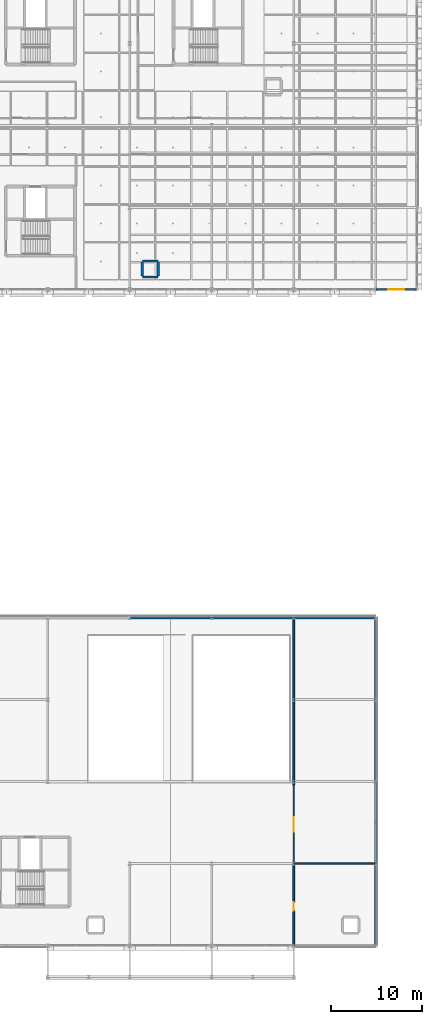
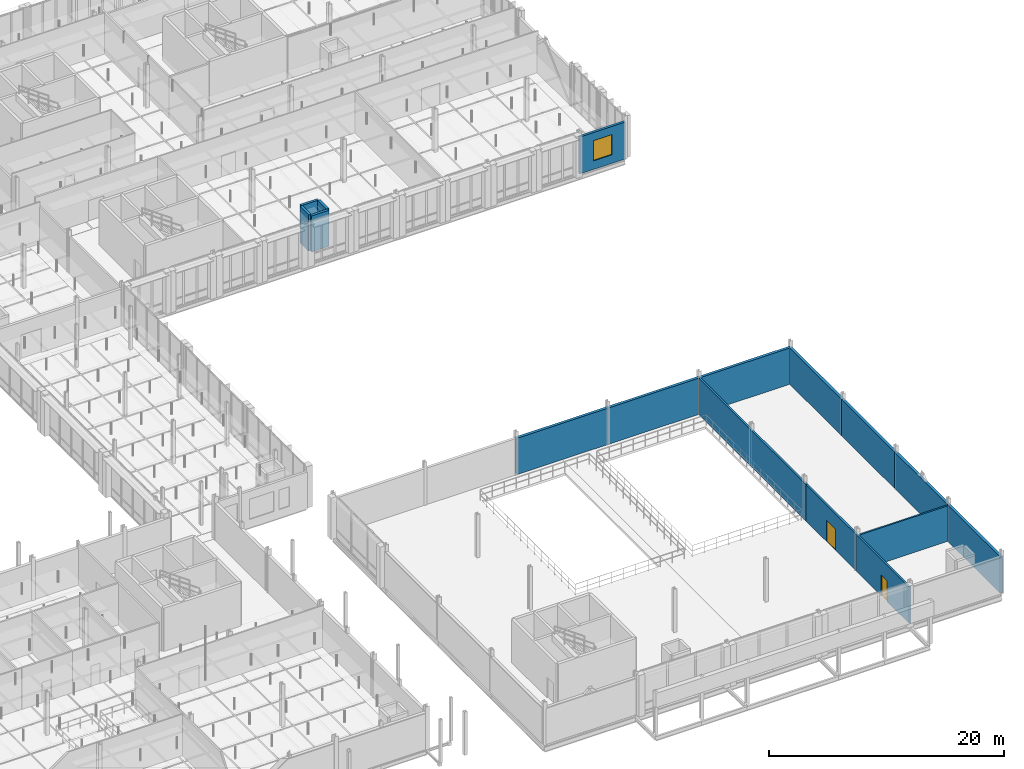
# One storey, part 74 of 130: 16 walls, 2 doors, 1 window, 3 openings.
"""IFC4 building model written with IfcOpenShell, lengths in metres."""

from ifc_helpers import new_model, si_unit, direction, frame, frame_2d, origin, place, context, subcontext, project, spatial, rectangle, extrude, material, layer, layer_set, type_object, element, fill, save


model = new_model("IFC4")

# Units and contexts
model_context = context("Model", 3, precision=1e-05, world=origin(), true_north=direction((0.0, 1.0)))
body_context = subcontext(model_context, "Body", "Model", "MODEL_VIEW")
ifc_project = project(units=[si_unit("LENGTHUNIT", "METRE"), si_unit("AREAUNIT", "SQUARE_METRE"), si_unit("VOLUMEUNIT", "CUBIC_METRE"), si_unit("PLANEANGLEUNIT", "RADIAN"), si_unit("MASSUNIT", "GRAM", prefix="KILO"), si_unit("THERMODYNAMICTEMPERATUREUNIT", "KELVIN"), si_unit("POWERUNIT", "WATT")], contexts=[model_context])

# Site, building, storey
site_placement = place(None, origin())
site = spatial("IfcSite", under=ifc_project, at=site_placement, CompositionType="ELEMENT")
building_placement = place(site_placement, origin())
building = spatial("IfcBuilding", under=site, at=building_placement, Name="Tallowbark Science Centre", CompositionType="ELEMENT")
storey_placement = place(building_placement, frame((0.0, 0.0, 5.39990234375)))
storey = spatial("IfcBuildingStorey", under=building, at=storey_placement, Name="L01", CompositionType="ELEMENT", Elevation=5.39990234375)

# Wall, opening, window
ifc_material_1 = material(Name="Hawkesbury Sandstone Faced Masonry Cavity Wall", Category="masonry")
ifc_layer_1 = layer(ifc_material_1, 0.22998046875)
ifc_layer_set_1 = layer_set([ifc_layer_1], Name="Hawkesbury Sandstone Faced Masonry Cavity Wall")
wall_type_1 = type_object("IfcWallType", Name="EWL-MAS-230", PredefinedType="STANDARD", material=ifc_layer_set_1)
wall_1_placement = place(storey_placement, frame((157.5, 72.0, 0.0), z_axis=(0.0, 0.0, 1.0), x_axis=(1.0, 0.0, 0.0)))
wall_1 = element("IfcWall", 1, at=wall_1_placement, inside=storey, type_object=wall_type_1, Name="Exterior Wall OBS-S-L01-157", PredefinedType="STANDARD", context=body_context, shape_type="SweptSolid", body=[
    extrude(rectangle(XDim=4.5, YDim=0.22998046875, at=frame_2d((2.25, 0.0))), origin(), (0.0, 0.0, 1.0), 3.84619140625),
])
opening_1_placement = place(wall_1_placement, frame((1.35009765625, 0.0, 0.89990234375)))
opening_1 = element("IfcOpeningElement", 2, at=opening_1_placement, cuts=wall_1, Name="Opening W-04", PredefinedType="OPENING", context=body_context, shape_type="SweptSolid", body=[
    extrude(rectangle(XDim=1.800048828125, YDim=2.10009765625, at=frame_2d((0.89990234375, 1.050048828125))), frame((0.0, 0.125, 0.0), z_axis=(0.0, -1.0, 0.0), x_axis=(1.0, 0.0, 0.0)), (0.0, 0.0, 1.0), 0.25),
])
ifc_material_2 = material(Name="Thermally Broken Aluminium and Low-E Double Glazing", Category="aluminium")
window_type = type_object("IfcWindowType", Name="WIN-F180x210", PartitioningType="SINGLE_PANEL", PredefinedType="WINDOW", material=ifc_material_2)
window_placement = place(opening_1_placement, origin())
window = element("IfcWindow", 3, at=window_placement, inside=storey, type_object=window_type, Name="Window WIN-L01-0039", OverallHeight=2.10009765625, OverallWidth=1.800048828125, PartitioningType="SINGLE_PANEL", PredefinedType="WINDOW", context=body_context, shape_type="SweptSolid", body=[
    extrude(rectangle(XDim=1.800048828125, YDim=2.10009765625, at=frame_2d((0.89990234375, 1.050048828125))), frame((0.0, 0.030029296875, 0.0), z_axis=(0.0, -1.0, 0.0), x_axis=(1.0, 0.0, 0.0)), (0.0, 0.0, 1.0), 0.06005859375),
])
fill(opening_1, window)

# Walls
ifc_material_3 = material(Name="Insulated Ribbed Precast Concrete Panel Grade N40 (40 MPa)", Category="concrete")
ifc_layer_2 = layer(ifc_material_3, 0.264892578125)
ifc_layer_set_2 = layer_set([ifc_layer_2], Name="Insulated Ribbed Precast Concrete Panel Grade N40 (40 MPa)")
wall_type_2 = type_object("IfcWallType", Name="EWL-PRC-265", PredefinedType="STANDARD", material=ifc_layer_set_2)
for number, where, z_axis, x_axis, name in (
    (4, (139.5, 36.0, 0.0), (0.0, 0.0, 1.0), (-1.0, 0.0, 0.0), "Exterior Wall THT-N-L01-2"),
    (5, (148.5, 36.0, 0.0), (0.0, 0.0, 1.0), (-1.0, 0.0, 0.0), "Exterior Wall THT-N-L01-3"),
    (6, (157.5, 36.0, 0.0), (0.0, 0.0, 1.0), (-1.0, 0.0, 0.0), "Exterior Wall THT-N-L01-4"),
    (7, (157.5, 0.0, 0.0), (0.0, 0.0, 1.0), (0.0, 1.0, 0.0), "Exterior Wall THT-E-L01-0"),
    (8, (157.5, 9.0, 0.0), (0.0, 0.0, 1.0), (0.0, 1.0, 0.0), "Exterior Wall THT-E-L01-1"),
    (9, (157.5, 18.0, 0.0), (0.0, 0.0, 1.0), (0.0, 1.0, 0.0), "Exterior Wall THT-E-L01-2"),
    (10, (157.5, 27.0, 0.0), (0.0, 0.0, 1.0), (0.0, 1.0, 0.0), "Exterior Wall THT-E-L01-3"),
):
    element("IfcWall", number, at=place(storey_placement, frame(where, z_axis=z_axis, x_axis=x_axis)), inside=storey, type_object=wall_type_2, Name=name, PredefinedType="STANDARD", context=body_context, shape_type="SweptSolid", body=[
        extrude(rectangle(XDim=9.0, YDim=0.264892578125, at=frame_2d((4.5, 0.0))), origin(), (0.0, 0.0, 1.0), 3.78125),
    ])
ifc_material_4 = material(Name="162 mm Double-Stud Fire-Rated Corridor Partition")
ifc_layer_3 = layer(ifc_material_4, 0.162109375)
ifc_layer_set_3 = layer_set([ifc_layer_3], Name="162 mm Double-Stud Fire-Rated Corridor Partition")
wall_type_3 = type_object("IfcWallType", Name="PTW-162", PredefinedType="PARTITIONING", material=ifc_layer_set_3)
wall_2_placement = place(storey_placement, frame((148.5, 9.0, 0.0), z_axis=(0.0, 0.0, 1.0), x_axis=(1.0, 0.0, 0.0)))
element("IfcWall", 11, at=wall_2_placement, inside=storey, type_object=wall_type_3, Name="Interior Partition PTW-L01-0176", PredefinedType="PARTITIONING", context=body_context, shape_type="SweptSolid", body=[
    extrude(rectangle(XDim=9.0, YDim=0.162109375, at=frame_2d((4.5, 0.0))), origin(), (0.0, 0.0, 1.0), 3.7021484375),
])

# Wall, opening, door
ifc_material_5 = material(Name="190 mm Acoustic Auditorium Double-Stud Partition")
ifc_layer_4 = layer(ifc_material_5, 0.18994140625)
ifc_layer_set_4 = layer_set([ifc_layer_4], Name="190 mm Acoustic Auditorium Double-Stud Partition")
wall_type_4 = type_object("IfcWallType", Name="PTW-190", PredefinedType="PARTITIONING", material=ifc_layer_set_4)
wall_3_placement = place(storey_placement, frame((148.5, 0.0, 0.0), z_axis=(0.0, 0.0, 1.0), x_axis=(0.0, 1.0, 0.0)))
wall_3 = element("IfcWall", 12, at=wall_3_placement, inside=storey, type_object=wall_type_4, Name="Interior Partition PTW-L01-0173", PredefinedType="PARTITIONING", context=body_context, shape_type="SweptSolid", body=[
    extrude(rectangle(XDim=9.0, YDim=0.18994140625, at=frame_2d((4.5, 0.0))), origin(), (0.0, 0.0, 1.0), 3.78125),
])
opening_2_placement = place(wall_3_placement, frame((3.800048828125, 0.0, 0.0)))
opening_2 = element("IfcOpeningElement", 13, at=opening_2_placement, cuts=wall_3, Name="Opening ID-04", PredefinedType="OPENING", context=body_context, shape_type="SweptSolid", body=[
    extrude(rectangle(XDim=0.949951171875, YDim=2.14990234375, at=frame_2d((0.47509765625, 1.074951171875))), frame((0.0, 0.10498046875, 0.0), z_axis=(0.0, -1.0, 0.0), x_axis=(1.0, 0.0, 0.0)), (0.0, 0.0, 1.0), 0.2099609375),
])
ifc_material_6 = material(Name="Solid-Core Timber Veneer Leaf", Category="wood")
door_type_1 = type_object("IfcDoorType", Name="IDR-OFF-095", OperationType="NOTDEFINED", PredefinedType="DOOR", material=ifc_material_6)
door_1_placement = place(opening_2_placement, origin())
door_1 = element("IfcDoor", 14, at=door_1_placement, inside=storey, type_object=door_type_1, Name="Interior Door IDR-L01-0070", OperationType="SINGLE_SWING_LEFT", OverallHeight=2.14990234375, OverallWidth=0.949951171875, PredefinedType="DOOR", context=body_context, shape_type="SweptSolid", body=[
    extrude(rectangle(XDim=0.949951171875, YDim=2.14990234375, at=frame_2d((0.47509765625, 1.074951171875))), frame((0.0, 0.02490234375, 0.0), z_axis=(0.0, -1.0, 0.0), x_axis=(1.0, 0.0, 0.0)), (0.0, 0.0, 1.0), 0.050048828125),
])
fill(opening_2, door_1)

wall_4_placement = place(storey_placement, frame((148.5, 9.0, 0.0), z_axis=(0.0, 0.0, 1.0), x_axis=(0.0, 1.0, 0.0)))
wall_4 = element("IfcWall", 15, at=wall_4_placement, inside=storey, type_object=wall_type_4, Name="Interior Partition PTW-L01-0174", PredefinedType="PARTITIONING", context=body_context, shape_type="SweptSolid", body=[
    extrude(rectangle(XDim=8.60009765625, YDim=0.18994140625, at=frame_2d((4.300048828125, 0.0))), origin(), (0.0, 0.0, 1.0), 3.78125),
])
opening_3_placement = place(wall_4_placement, frame((3.5, 0.0, 0.0)))
opening_3 = element("IfcOpeningElement", 16, at=opening_3_placement, cuts=wall_4, Name="Opening FD-03", PredefinedType="OPENING", context=body_context, shape_type="SweptSolid", body=[
    extrude(rectangle(XDim=1.60009765625, YDim=2.199951171875, at=frame_2d((0.800048828125, 1.10009765625))), frame((0.0, 0.10498046875, 0.0), z_axis=(0.0, -1.0, 0.0), x_axis=(1.0, 0.0, 0.0)), (0.0, 0.0, 1.0), 0.2099609375),
])
ifc_material_7 = material(Name="Fire-Rated Acoustic Plant Pair")
door_type_2 = type_object("IfcDoorType", Name="FDR-PLT-160", OperationType="DOUBLE_DOOR_SINGLE_SWING", PredefinedType="DOOR", material=ifc_material_7)
door_2_placement = place(opening_3_placement, origin())
door_2 = element("IfcDoor", 17, at=door_2_placement, inside=storey, type_object=door_type_2, Name="Interior Door IDR-L01-0071", OperationType="DOUBLE_DOOR_SINGLE_SWING", OverallHeight=2.199951171875, OverallWidth=1.60009765625, PredefinedType="DOOR", context=body_context, shape_type="SweptSolid", body=[
    extrude(rectangle(XDim=1.60009765625, YDim=2.199951171875, at=frame_2d((0.800048828125, 1.10009765625))), frame((0.0, 0.02490234375, 0.0), z_axis=(0.0, -1.0, 0.0), x_axis=(1.0, 0.0, 0.0)), (0.0, 0.0, 1.0), 0.050048828125),
])
fill(opening_3, door_2)

# Walls
wall_5_placement = place(storey_placement, frame((148.5, 17.60009765625, 0.0), z_axis=(0.0, 0.0, 1.0), x_axis=(0.0, 1.0, 0.0)))
element("IfcWall", 18, at=wall_5_placement, inside=storey, type_object=wall_type_4, Name="Interior Partition PTW-L01-0175", PredefinedType="PARTITIONING", context=body_context, shape_type="SweptSolid", body=[
    extrude(rectangle(XDim=18.39990234375, YDim=0.18994140625, at=frame_2d((9.199951171875, 0.0))), origin(), (0.0, 0.0, 1.0), 3.78125),
])
ifc_material_8 = material(Name="Concrete Grade N40 (40 MPa)", Category="concrete")
ifc_layer_5 = layer(ifc_material_8, 0.25)
ifc_layer_set_5 = layer_set([ifc_layer_5], Name="Concrete Grade N40 (40 MPa)")
wall_type_5 = type_object("IfcWallType", Name="WL-SHAFT-250", PredefinedType="SHEAR", material=ifc_layer_set_5)
for number, where, z_axis, x_axis, name in (
    (19, (131.89990234375, 73.375, 0.0), (0.0, 0.0, 1.0), (1.0, 0.0, 0.0), "Service Riser Shaft Wall RSR-OBS-S L01 S"),
    (20, (131.89990234375, 75.125, 0.0), (0.0, 0.0, 1.0), (1.0, 0.0, 0.0), "Service Riser Shaft Wall RSR-OBS-S L01 N"),
):
    element("IfcWall", number, at=place(storey_placement, frame(where, z_axis=z_axis, x_axis=x_axis)), inside=storey, type_object=wall_type_5, Name=name, PredefinedType="SHEAR", context=body_context, shape_type="SweptSolid", body=[
        extrude(rectangle(XDim=1.7001953125, YDim=0.25, at=frame_2d((0.85009765625, 0.0))), origin(), (0.0, 0.0, 1.0), 3.77001953125),
    ])
for number, where, z_axis, x_axis, name in (
    (21, (131.875, 73.5, 0.0), (0.0, 0.0, 1.0), (0.0, 1.0, 0.0), "Service Riser Shaft Wall RSR-OBS-S L01 W"),
    (22, (133.625, 73.5, 0.0), (0.0, 0.0, 1.0), (0.0, 1.0, 0.0), "Service Riser Shaft Wall RSR-OBS-S L01 E"),
):
    element("IfcWall", number, at=place(storey_placement, frame(where, z_axis=z_axis, x_axis=x_axis)), inside=storey, type_object=wall_type_5, Name=name, PredefinedType="SHEAR", context=body_context, shape_type="SweptSolid", body=[
        extrude(rectangle(XDim=1.5, YDim=0.25, at=frame_2d((0.75, 0.0))), origin(), (0.0, 0.0, 1.0), 3.77001953125),
    ])

save(model, "model.ifc")
